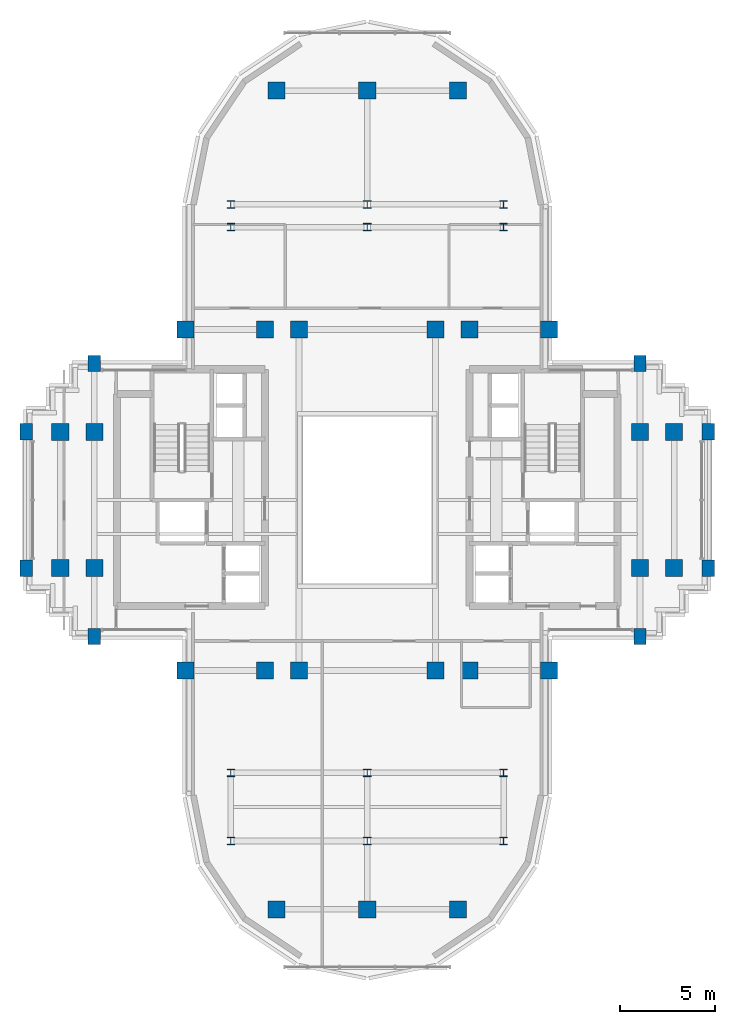
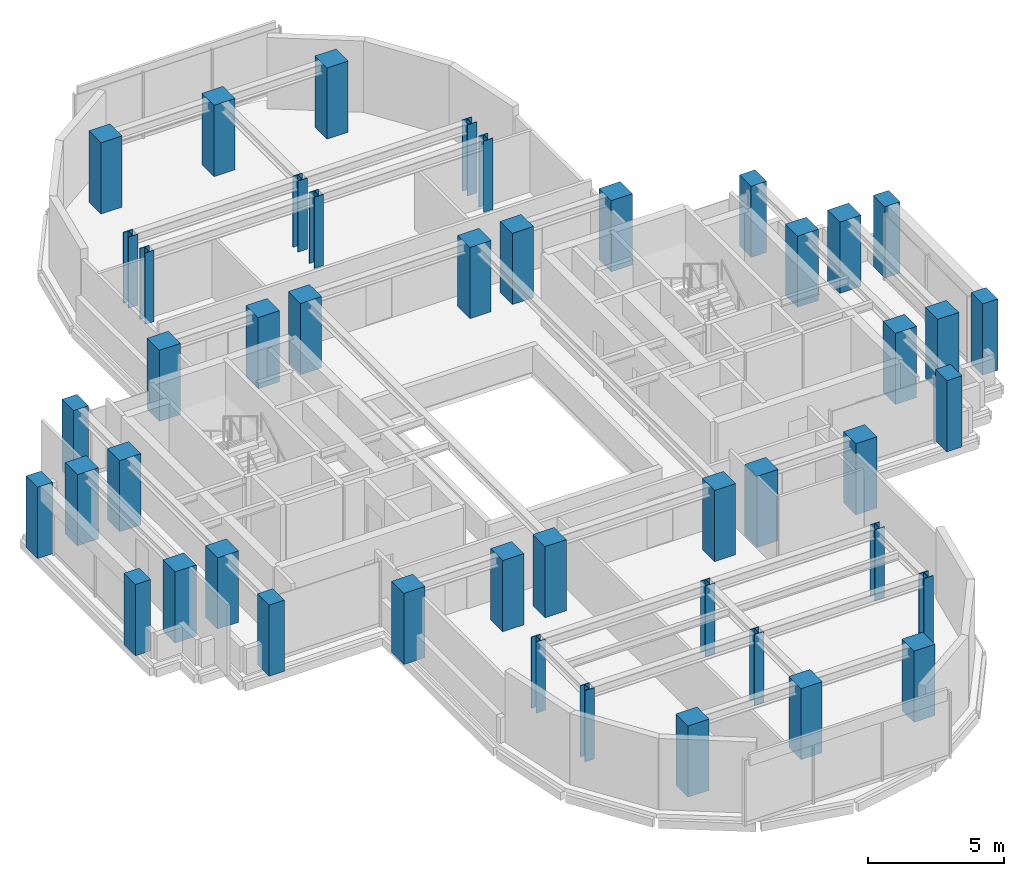
# One storey, part 1 of 11: 46 columns.
"""IFC4 building model written with IfcOpenShell, lengths in metres."""

from ifc_helpers import new_model, si_unit, direction, frame, origin, origin_2d, place, context, subcontext, project, spatial, rectangle, i_section, extrude, source, transform, mapped, material, material_profile, profile_set, type_object, element, save


model = new_model("IFC4")

# Units and contexts
model_context = context("Model", 3, precision=1e-05, world=origin(), true_north=direction((0.0, 1.0)))
body_context = subcontext(model_context, "Body", "Model", "MODEL_VIEW")
ifc_project = project(units=[si_unit("LENGTHUNIT", "METRE"), si_unit("AREAUNIT", "SQUARE_METRE"), si_unit("VOLUMEUNIT", "CUBIC_METRE"), si_unit("PLANEANGLEUNIT", "RADIAN"), si_unit("MASSUNIT", "GRAM", prefix="KILO")], contexts=[model_context])

# Site, building, storey
site_placement = place(None, origin())
site = spatial("IfcSite", under=ifc_project, at=site_placement, CompositionType="ELEMENT")
building_placement = place(site_placement, origin())
building = spatial("IfcBuilding", under=site, at=building_placement, Name="Keilestroom Media Tower", CompositionType="ELEMENT")
storey_placement = place(building_placement, frame((0.0, 0.0, 174.0)))
storey = spatial("IfcBuildingStorey", under=building, at=storey_placement, Name="L47", CompositionType="ELEMENT", Elevation=174.0)

# Columns
ifc_material_1 = material(Name="Precast concrete C40/50", Category="concrete")
ifc_material_profile_1 = material_profile(ifc_material_1, rectangle(XDim=0.64990234375, YDim=0.85009765625, at=origin_2d()), Name="PC 850x650")
ifc_profile_set_1 = profile_set([ifc_material_profile_1], Name="Precast concrete C40/50")
column_type_1 = type_object("IfcColumnType", Name="Structural-Column-PC-850x650", PredefinedType="COLUMN", material=ifc_profile_set_1)
shared_shape_1 = source(origin(), body_context, "Body", "SweptSolid", [
    extrude(rectangle(XDim=0.64990234375, YDim=0.85009765625, at=origin_2d()), origin(), (0.0, 0.0, 1.0), 3.199951171875),
])
for number, where, z_axis, x_axis, name in (
    (1, (-18.0, -3.60009765625, 0.0), (0.0, 0.0, 1.0), (1.0, 0.0, 0.0), "L47 Column PC-2 (-18.0,-3.6)"),
    (2, (-18.0, 3.60009765625, 0.0), (0.0, 0.0, 1.0), (1.0, 0.0, 0.0), "L47 Column PC-2 (-18.0,+3.6)"),
    (3, (-14.39990234375, -7.199951171875, 0.0), (0.0, 0.0, 1.0), (1.0, 0.0, 0.0), "L47 Column PC-2 (-14.4,-7.2)"),
    (4, (-14.39990234375, 7.199951171875, 0.0), (0.0, 0.0, 1.0), (1.0, 0.0, 0.0), "L47 Column PC-2 (-14.4,+7.2)"),
    (5, (14.39990234375, -7.199951171875, 0.0), (0.0, 0.0, 1.0), (1.0, 0.0, 0.0), "L47 Column PC-2 (+14.4,-7.2)"),
    (6, (14.39990234375, 7.199951171875, 0.0), (0.0, 0.0, 1.0), (1.0, 0.0, 0.0), "L47 Column PC-2 (+14.4,+7.2)"),
    (7, (18.0, -3.60009765625, 0.0), (0.0, 0.0, 1.0), (1.0, 0.0, 0.0), "L47 Column PC-2 (+18.0,-3.6)"),
    (8, (18.0, 3.60009765625, 0.0), (0.0, 0.0, 1.0), (1.0, 0.0, 0.0), "L47 Column PC-2 (+18.0,+3.6)"),
):
    element("IfcColumn", number, at=place(storey_placement, frame(where, z_axis=z_axis, x_axis=x_axis)), inside=storey, type_object=column_type_1, Name=name, PredefinedType="COLUMN", context=body_context, shape_type="MappedRepresentation", body=[
        mapped(shared_shape_1, transform((0.0, 0.0, 0.0), x_axis=(1.0, 0.0, 0.0), y_axis=(0.0, 1.0, 0.0), z_axis=(0.0, 0.0, 1.0), scale=1.0)),
    ])
ifc_material_2 = material(Name="Concrete C55/67", Category="concrete")
ifc_material_profile_2 = material_profile(ifc_material_2, rectangle(XDim=0.89990234375, YDim=0.89990234375, at=origin_2d()), Name="RC 900x900")
ifc_profile_set_2 = profile_set([ifc_material_profile_2], Name="Concrete C55/67")
column_type_2 = type_object("IfcColumnType", Name="Structural-Column-RC-900x900", PredefinedType="COLUMN", material=ifc_profile_set_2)
shared_shape_2 = source(origin(), body_context, "Body", "SweptSolid", [
    extrude(rectangle(XDim=0.89990234375, YDim=0.89990234375, at=origin_2d()), origin(), (0.0, 0.0, 1.0), 3.199951171875),
])
for number, where, z_axis, x_axis, name in (
    (9, (-16.199951171875, -3.60009765625, 0.0), (0.0, 0.0, 1.0), (1.0, 0.0, 0.0), "L47 Column MC-4 (-16.2,-3.6)"),
    (10, (-16.199951171875, 3.60009765625, 0.0), (0.0, 0.0, 1.0), (1.0, 0.0, 0.0), "L47 Column MC-4 (-16.2,+3.6)"),
    (11, (-14.39990234375, -3.60009765625, 0.0), (0.0, 0.0, 1.0), (1.0, 0.0, 0.0), "L47 Column MC-4 (-14.4,-3.6)"),
    (12, (-14.39990234375, 3.60009765625, 0.0), (0.0, 0.0, 1.0), (1.0, 0.0, 0.0), "L47 Column MC-4 (-14.4,+3.6)"),
    (13, (-9.60009765625, -9.0, 0.0), (0.0, 0.0, 1.0), (1.0, 0.0, 0.0), "L47 Column MC-4 (-9.6,-9.0)"),
    (14, (-9.60009765625, 9.0, 0.0), (0.0, 0.0, 1.0), (1.0, 0.0, 0.0), "L47 Column MC-4 (-9.6,+9.0)"),
    (15, (-5.39990234375, -9.0, 0.0), (0.0, 0.0, 1.0), (1.0, 0.0, 0.0), "L47 Column MC-4 (-5.4,-9.0)"),
    (16, (-5.39990234375, 9.0, 0.0), (0.0, 0.0, 1.0), (1.0, 0.0, 0.0), "L47 Column MC-4 (-5.4,+9.0)"),
    (17, (-4.800048828125, -21.60009765625, 0.0), (0.0, 0.0, 1.0), (1.0, 0.0, 0.0), "L47 Column MC-4 (-4.8,-21.6)"),
    (18, (-4.800048828125, 21.60009765625, 0.0), (0.0, 0.0, 1.0), (1.0, 0.0, 0.0), "L47 Column MC-4 (-4.8,+21.6)"),
    (19, (-3.60009765625, -9.0, 0.0), (0.0, 0.0, 1.0), (1.0, 0.0, 0.0), "L47 Column MC-4 (-3.6,-9.0)"),
    (20, (-3.60009765625, 9.0, 0.0), (0.0, 0.0, 1.0), (1.0, 0.0, 0.0), "L47 Column MC-4 (-3.6,+9.0)"),
    (21, (0.0, -21.60009765625, 0.0), (0.0, 0.0, 1.0), (1.0, 0.0, 0.0), "L47 Column MC-4 (+0.0,-21.6)"),
    (22, (0.0, 21.60009765625, 0.0), (0.0, 0.0, 1.0), (1.0, 0.0, 0.0), "L47 Column MC-4 (+0.0,+21.6)"),
    (23, (3.60009765625, -9.0, 0.0), (0.0, 0.0, 1.0), (1.0, 0.0, 0.0), "L47 Column MC-4 (+3.6,-9.0)"),
    (24, (3.60009765625, 9.0, 0.0), (0.0, 0.0, 1.0), (1.0, 0.0, 0.0), "L47 Column MC-4 (+3.6,+9.0)"),
    (25, (4.800048828125, -21.60009765625, 0.0), (0.0, 0.0, 1.0), (1.0, 0.0, 0.0), "L47 Column MC-4 (+4.8,-21.6)"),
    (26, (4.800048828125, 21.60009765625, 0.0), (0.0, 0.0, 1.0), (1.0, 0.0, 0.0), "L47 Column MC-4 (+4.8,+21.6)"),
    (27, (5.39990234375, -9.0, 0.0), (0.0, 0.0, 1.0), (1.0, 0.0, 0.0), "L47 Column MC-4 (+5.4,-9.0)"),
    (28, (5.39990234375, 9.0, 0.0), (0.0, 0.0, 1.0), (1.0, 0.0, 0.0), "L47 Column MC-4 (+5.4,+9.0)"),
    (29, (9.60009765625, -9.0, 0.0), (0.0, 0.0, 1.0), (1.0, 0.0, 0.0), "L47 Column MC-4 (+9.6,-9.0)"),
    (30, (9.60009765625, 9.0, 0.0), (0.0, 0.0, 1.0), (1.0, 0.0, 0.0), "L47 Column MC-4 (+9.6,+9.0)"),
    (31, (14.39990234375, -3.60009765625, 0.0), (0.0, 0.0, 1.0), (1.0, 0.0, 0.0), "L47 Column MC-4 (+14.4,-3.6)"),
    (32, (14.39990234375, 3.60009765625, 0.0), (0.0, 0.0, 1.0), (1.0, 0.0, 0.0), "L47 Column MC-4 (+14.4,+3.6)"),
    (33, (16.199951171875, -3.60009765625, 0.0), (0.0, 0.0, 1.0), (1.0, 0.0, 0.0), "L47 Column MC-4 (+16.2,-3.6)"),
    (34, (16.199951171875, 3.60009765625, 0.0), (0.0, 0.0, 1.0), (1.0, 0.0, 0.0), "L47 Column MC-4 (+16.2,+3.6)"),
):
    element("IfcColumn", number, at=place(storey_placement, frame(where, z_axis=z_axis, x_axis=x_axis)), inside=storey, type_object=column_type_2, Name=name, PredefinedType="COLUMN", context=body_context, shape_type="MappedRepresentation", body=[
        mapped(shared_shape_2, transform((0.0, 0.0, 0.0), x_axis=(1.0, 0.0, 0.0), y_axis=(0.0, 1.0, 0.0), z_axis=(0.0, 0.0, 1.0), scale=1.0)),
    ])
ifc_material_3 = material(Name="Steel S355", Category="steel")
ifc_material_profile_3 = material_profile(ifc_material_3, i_section(OverallWidth=0.39794921875, OverallDepth=0.386962890625, WebThickness=0.017578125, FlangeThickness=0.028076171875, at=origin_2d()), Name="HD 400x262")
ifc_profile_set_3 = profile_set([ifc_material_profile_3], Name="Steel S355")
column_type_3 = type_object("IfcColumnType", Name="Structural-Column-HD-400x262", PredefinedType="COLUMN", material=ifc_profile_set_3)
shared_shape_3 = source(origin(), body_context, "Body", "SweptSolid", [
    extrude(i_section(OverallWidth=0.39794921875, OverallDepth=0.386962890625, WebThickness=0.017578125, FlangeThickness=0.028076171875, at=origin_2d()), origin(), (0.0, 0.0, 1.0), 3.199951171875),
])
for number, where, z_axis, x_axis, name in (
    (35, (-7.199951171875, -18.0, 0.0), (0.0, 0.0, 1.0), (1.0, 0.0, 0.0), "L47 Column SC-4 (-7.2,-18.0)"),
    (36, (-7.199951171875, -14.39990234375, 0.0), (0.0, 0.0, 1.0), (1.0, 0.0, 0.0), "L47 Column SC-4 (-7.2,-14.4)"),
    (37, (-7.199951171875, 14.39990234375, 0.0), (0.0, 0.0, 1.0), (1.0, 0.0, 0.0), "L47 Column SC-4 (-7.2,+14.4)"),
    (38, (-7.199951171875, 15.60009765625, 0.0), (0.0, 0.0, 1.0), (1.0, 0.0, 0.0), "L47 Column SC-4 (-7.2,+15.6)"),
    (39, (0.0, -18.0, 0.0), (0.0, 0.0, 1.0), (1.0, 0.0, 0.0), "L47 Column SC-4 (+0.0,-18.0)"),
    (40, (0.0, -14.39990234375, 0.0), (0.0, 0.0, 1.0), (1.0, 0.0, 0.0), "L47 Column SC-4 (+0.0,-14.4)"),
    (41, (0.0, 14.39990234375, 0.0), (0.0, 0.0, 1.0), (1.0, 0.0, 0.0), "L47 Column SC-4 (+0.0,+14.4)"),
    (42, (0.0, 15.60009765625, 0.0), (0.0, 0.0, 1.0), (1.0, 0.0, 0.0), "L47 Column SC-4 (+0.0,+15.6)"),
    (43, (7.199951171875, -18.0, 0.0), (0.0, 0.0, 1.0), (1.0, 0.0, 0.0), "L47 Column SC-4 (+7.2,-18.0)"),
    (44, (7.199951171875, -14.39990234375, 0.0), (0.0, 0.0, 1.0), (1.0, 0.0, 0.0), "L47 Column SC-4 (+7.2,-14.4)"),
    (45, (7.199951171875, 14.39990234375, 0.0), (0.0, 0.0, 1.0), (1.0, 0.0, 0.0), "L47 Column SC-4 (+7.2,+14.4)"),
    (46, (7.199951171875, 15.60009765625, 0.0), (0.0, 0.0, 1.0), (1.0, 0.0, 0.0), "L47 Column SC-4 (+7.2,+15.6)"),
):
    element("IfcColumn", number, at=place(storey_placement, frame(where, z_axis=z_axis, x_axis=x_axis)), inside=storey, type_object=column_type_3, Name=name, PredefinedType="COLUMN", context=body_context, shape_type="MappedRepresentation", body=[
        mapped(shared_shape_3, transform((0.0, 0.0, 0.0), x_axis=(1.0, 0.0, 0.0), y_axis=(0.0, 1.0, 0.0), z_axis=(0.0, 0.0, 1.0), scale=1.0)),
    ])

save(model, "model.ifc")
